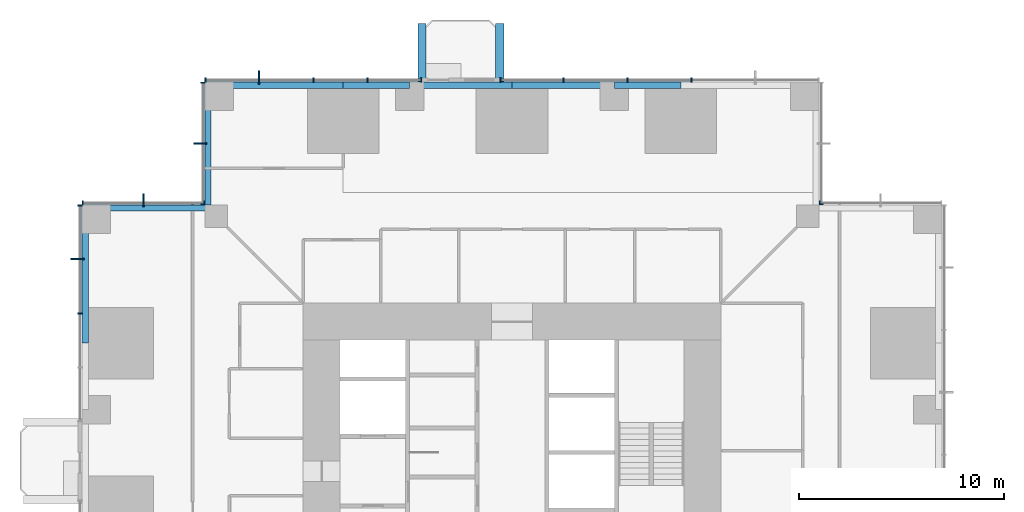
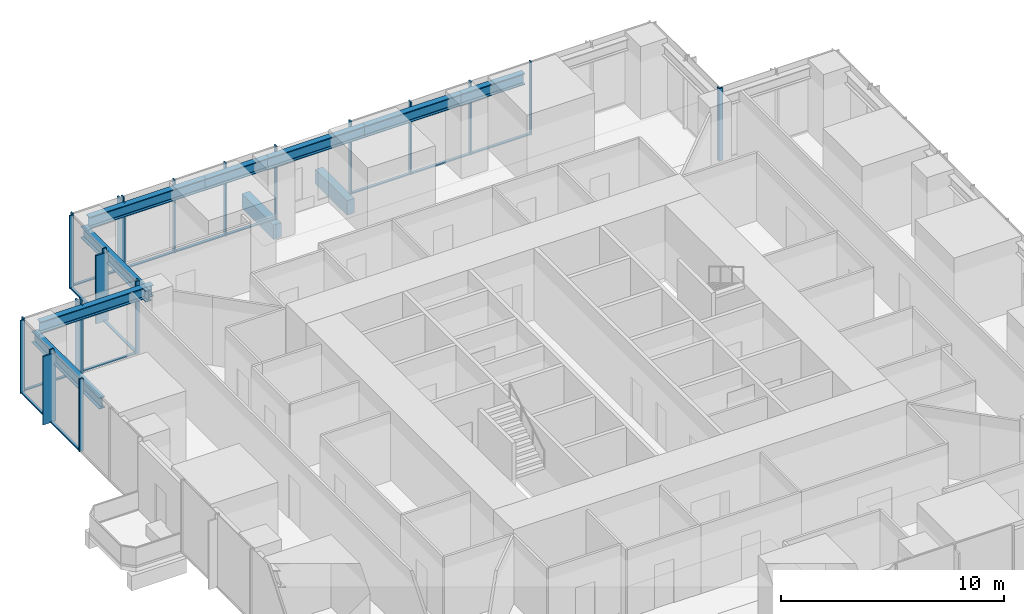
# One storey, part 5 of 15: 37 members, 10 beams, 7 elements without a shape of their own.
"""IFC4 building model written with IfcOpenShell, lengths in metres."""

from ifc_helpers import new_model, si_unit, direction, frame, origin, origin_2d, place, context, subcontext, project, spatial, rectangle, i_section, extrude, material, material_profile, profile_set, type_object, element, aggregate, save


model = new_model("IFC4")

# Units and contexts
model_context = context("Model", 3, precision=1e-05, world=origin(), true_north=direction((0.0, 1.0)))
body_context = subcontext(model_context, "Body", "Model", "MODEL_VIEW")
ifc_project = project(units=[si_unit("LENGTHUNIT", "METRE"), si_unit("AREAUNIT", "SQUARE_METRE"), si_unit("VOLUMEUNIT", "CUBIC_METRE"), si_unit("PLANEANGLEUNIT", "RADIAN"), si_unit("MASSUNIT", "GRAM", prefix="KILO")], contexts=[model_context])

# Site, building, storey
site_placement = place(None, origin())
site = spatial("IfcSite", under=ifc_project, at=site_placement, CompositionType="ELEMENT")
building_placement = place(site_placement, origin())
building = spatial("IfcBuilding", under=site, at=building_placement, Name="Svetlomir Tower", CompositionType="ELEMENT")
storey_placement = place(building_placement, frame((0.0, 0.0, 26.5)))
storey = spatial("IfcBuildingStorey", under=building, at=storey_placement, Name="L05", CompositionType="ELEMENT", Elevation=26.5)

# Beams
ifc_material_1 = material(Name="Concrete C60/75", Category="concrete")
ifc_material_profile_1 = material_profile(ifc_material_1, rectangle(XDim=0.39990234375, YDim=0.800048828125, at=origin_2d()), Name="RC 400x800")
ifc_profile_set_1 = profile_set([ifc_material_profile_1], Name="Concrete C60/75")
beam_type_1 = type_object("IfcBeamType", Name="BALCONY RIB RC 400x800", PredefinedType="BEAM", material=ifc_profile_set_1)
for number, where, z_axis, x_axis, name in (
    (1, (16.60009765625, 42.0, -0.64990234375), (0.0, 1.0, 0.0), (-1.0, 0.0, 0.0), "Balcony rib N 1 L05"),
    (2, (20.39990234375, 42.0, -0.64990234375), (0.0, 1.0, 0.0), (-1.0, 0.0, 0.0), "Balcony rib N 2 L05"),
):
    element("IfcBeam", number, at=place(storey_placement, frame(where, z_axis=z_axis, x_axis=x_axis)), inside=storey, type_object=beam_type_1, Name=name, PredefinedType="BEAM", context=body_context, shape_type="SweptSolid", body=[
        extrude(rectangle(XDim=0.39990234375, YDim=0.800048828125, at=origin_2d()), origin(), (0.0, 0.0, 1.0), 2.85009765625),
    ])

# Curtain wall, member
ifc_material_2 = material(Name="Bronze anodised aluminium curtain wall", Category="aluminium")
curtain_wall_type = type_object("IfcCurtainWallType", Name="CURTAIN WALL CW1 TOWER OFFICE", PredefinedType="NOTDEFINED", material=ifc_material_2)
curtain_wall_1_placement = place(storey_placement, origin())
curtain_wall_1 = element("IfcCurtainWall", 3, at=curtain_wall_1_placement, inside=storey, type_object=curtain_wall_type, Name="Curtain wall CW1 L05", PredefinedType="NOTDEFINED")
ifc_material_3 = material(Name="Bronze anodised aluminium", Category="aluminium")
ifc_material_profile_2 = material_profile(ifc_material_3, rectangle(XDim=0.080078125, YDim=0.64990234375, at=origin_2d()), Name="FIN 80x650")
ifc_profile_set_2 = profile_set([ifc_material_profile_2], Name="Bronze anodised aluminium 6063-T6")
member_type_1 = type_object("IfcMemberType", Name="BRONZE FIN 80x650", PredefinedType="USERDEFINED", material=ifc_profile_set_2)
member_1_placement = place(storey_placement, frame((8.64990234375, 42.22509765625, 0.0), z_axis=(0.0, 0.0, 1.0), x_axis=(1.0, 0.0, 0.0)))
member_1 = element("IfcMember", 4, at=member_1_placement, type_object=member_type_1, Name="Bronze fin L05", ObjectType="FIN", PredefinedType="USERDEFINED", context=body_context, shape_type="SweptSolid", body=[
    extrude(rectangle(XDim=0.080078125, YDim=0.64990234375, at=origin_2d()), origin(), (0.0, 0.0, 1.0), 3.75),
])

curtain_wall_2_placement = place(storey_placement, origin())
curtain_wall_2 = element("IfcCurtainWall", 5, at=curtain_wall_2_placement, inside=storey, type_object=curtain_wall_type, Name="Curtain wall CW1 L05", PredefinedType="NOTDEFINED")
member_2_placement = place(storey_placement, frame((5.77490234375, 39.0, 0.0), z_axis=(0.0, 0.0, 1.0), x_axis=(0.0, 1.0, 0.0)))
member_2 = element("IfcMember", 6, at=member_2_placement, type_object=member_type_1, Name="Bronze fin L05", ObjectType="FIN", PredefinedType="USERDEFINED", context=body_context, shape_type="SweptSolid", body=[
    extrude(rectangle(XDim=0.080078125, YDim=0.64990234375, at=origin_2d()), origin(), (0.0, 0.0, 1.0), 3.75),
])

curtain_wall_3_placement = place(storey_placement, origin())
curtain_wall_3 = element("IfcCurtainWall", 7, at=curtain_wall_3_placement, inside=storey, type_object=curtain_wall_type, Name="Curtain wall CW1 L05", PredefinedType="NOTDEFINED")
member_3_placement = place(storey_placement, frame((3.0, 36.22509765625, 0.0), z_axis=(0.0, 0.0, 1.0), x_axis=(1.0, 0.0, 0.0)))
member_3 = element("IfcMember", 8, at=member_3_placement, type_object=member_type_1, Name="Bronze fin L05", ObjectType="FIN", PredefinedType="USERDEFINED", context=body_context, shape_type="SweptSolid", body=[
    extrude(rectangle(XDim=0.080078125, YDim=0.64990234375, at=origin_2d()), origin(), (0.0, 0.0, 1.0), 3.75),
])

curtain_wall_4_placement = place(storey_placement, origin())
curtain_wall_4 = element("IfcCurtainWall", 9, at=curtain_wall_4_placement, inside=storey, type_object=curtain_wall_type, Name="Curtain wall CW1 L05", PredefinedType="NOTDEFINED")
member_4_placement = place(storey_placement, frame((-0.22509765625, 33.35009765625, 0.0), z_axis=(0.0, 0.0, 1.0), x_axis=(0.0, 1.0, 0.0)))
member_4 = element("IfcMember", 10, at=member_4_placement, type_object=member_type_1, Name="Bronze fin L05", ObjectType="FIN", PredefinedType="USERDEFINED", context=body_context, shape_type="SweptSolid", body=[
    extrude(rectangle(XDim=0.080078125, YDim=0.64990234375, at=origin_2d()), origin(), (0.0, 0.0, 1.0), 3.75),
])

curtain_wall_5_placement = place(storey_placement, origin())
curtain_wall_5 = element("IfcCurtainWall", 11, at=curtain_wall_5_placement, inside=storey, type_object=curtain_wall_type, Name="Curtain wall CW1 L05", PredefinedType="NOTDEFINED")
ifc_material_4 = material(Name="Bronze anodised aluminium", Category="aluminium")
ifc_material_profile_3 = material_profile(ifc_material_4, rectangle(XDim=0.06494140625, YDim=0.199951171875, at=origin_2d()), Name="AL 65x200")
ifc_profile_set_3 = profile_set([ifc_material_profile_3], Name="Bronze anodised aluminium 6063-T6")
member_type_2 = type_object("IfcMemberType", Name="CW1 MULLION 65x200", PredefinedType="MULLION", material=ifc_profile_set_3)
member_5_placement = place(storey_placement, frame((36.032470703125, 36.10009765625, 0.0), z_axis=(0.0, 0.0, 1.0), x_axis=(-1.0, 0.0, 0.0)))
member_5 = element("IfcMember", 12, at=member_5_placement, type_object=member_type_2, Name="CW1 mullion 3", PredefinedType="MULLION", context=body_context, shape_type="SweptSolid", body=[
    extrude(rectangle(XDim=0.06494140625, YDim=0.199951171875, at=origin_2d()), origin(), (0.0, 0.0, 1.0), 4.0),
])
aggregate(curtain_wall_5, [member_5])

curtain_wall_6_placement = place(storey_placement, origin())
curtain_wall_6 = element("IfcCurtainWall", 13, at=curtain_wall_6_placement, inside=storey, type_object=curtain_wall_type, Name="Curtain wall CW1 L05", PredefinedType="NOTDEFINED")
member_6_placement = place(storey_placement, frame((36.10009765625, 36.032470703125, 0.0), z_axis=(0.0, 0.0, 1.0), x_axis=(0.0, 1.0, 0.0)))
member_6 = element("IfcMember", 14, at=member_6_placement, type_object=member_type_2, Name="CW1 mullion 1", PredefinedType="MULLION", context=body_context, shape_type="SweptSolid", body=[
    extrude(rectangle(XDim=0.06494140625, YDim=0.199951171875, at=origin_2d()), origin(), (0.0, 0.0, 1.0), 4.0),
])
aggregate(curtain_wall_6, [member_6])

# Curtain wall, members
curtain_wall_7_placement = place(storey_placement, origin())
curtain_wall_7 = element("IfcCurtainWall", 15, at=curtain_wall_7_placement, inside=storey, type_object=curtain_wall_type, Name="Curtain wall CW1 L05", PredefinedType="NOTDEFINED")
member_7_placement = place(storey_placement, frame((29.760009765625, 42.10009765625, 0.0), z_axis=(0.0, 0.0, 1.0), x_axis=(-1.0, 0.0, 0.0)))
member_7 = element("IfcMember", 16, at=member_7_placement, type_object=member_type_2, Name="CW1 mullion 3", PredefinedType="MULLION", context=body_context, shape_type="SweptSolid", body=[
    extrude(rectangle(XDim=0.06494140625, YDim=0.199951171875, at=origin_2d()), origin(), (0.0, 0.0, 1.0), 4.0),
])
member_8_placement = place(storey_placement, frame((26.639892578125, 42.10009765625, 0.0), z_axis=(0.0, 0.0, 1.0), x_axis=(-1.0, 0.0, 0.0)))
member_8 = element("IfcMember", 17, at=member_8_placement, type_object=member_type_2, Name="CW1 mullion 4", PredefinedType="MULLION", context=body_context, shape_type="SweptSolid", body=[
    extrude(rectangle(XDim=0.06494140625, YDim=0.199951171875, at=origin_2d()), origin(), (0.0, 0.0, 1.0), 4.0),
])
member_9_placement = place(storey_placement, frame((23.52001953125, 42.10009765625, 0.0), z_axis=(0.0, 0.0, 1.0), x_axis=(-1.0, 0.0, 0.0)))
member_9 = element("IfcMember", 18, at=member_9_placement, type_object=member_type_2, Name="CW1 mullion 5", PredefinedType="MULLION", context=body_context, shape_type="SweptSolid", body=[
    extrude(rectangle(XDim=0.06494140625, YDim=0.199951171875, at=origin_2d()), origin(), (0.0, 0.0, 1.0), 4.0),
])
member_10_placement = place(storey_placement, frame((20.4326171875, 42.10009765625, 0.0), z_axis=(0.0, 0.0, 1.0), x_axis=(-1.0, 0.0, 0.0)))
member_10 = element("IfcMember", 19, at=member_10_placement, type_object=member_type_2, Name="CW1 mullion 6", PredefinedType="MULLION", context=body_context, shape_type="SweptSolid", body=[
    extrude(rectangle(XDim=0.06494140625, YDim=0.199951171875, at=origin_2d()), origin(), (0.0, 0.0, 1.0), 4.0),
])

# Member
member_11_placement = place(storey_placement, frame((16.5673828125, 42.10009765625, 0.0), z_axis=(0.0, 0.0, 1.0), x_axis=(-1.0, 0.0, 0.0)))
member_11 = element("IfcMember", 20, at=member_11_placement, type_object=member_type_2, Name="CW1 mullion 1", PredefinedType="MULLION", context=body_context, shape_type="SweptSolid", body=[
    extrude(rectangle(XDim=0.06494140625, YDim=0.199951171875, at=origin_2d()), origin(), (0.0, 0.0, 1.0), 4.0),
])

member_12_placement = place(storey_placement, frame((13.949951171875, 42.10009765625, 0.0), z_axis=(0.0, 0.0, 1.0), x_axis=(-1.0, 0.0, 0.0)))
member_12 = element("IfcMember", 21, at=member_12_placement, type_object=member_type_2, Name="CW1 mullion 2", PredefinedType="MULLION", context=body_context, shape_type="SweptSolid", body=[
    extrude(rectangle(XDim=0.06494140625, YDim=0.199951171875, at=origin_2d()), origin(), (0.0, 0.0, 1.0), 4.0),
])

member_13_placement = place(storey_placement, frame((11.300048828125, 42.10009765625, 0.0), z_axis=(0.0, 0.0, 1.0), x_axis=(-1.0, 0.0, 0.0)))
member_13 = element("IfcMember", 22, at=member_13_placement, type_object=member_type_2, Name="CW1 mullion 3", PredefinedType="MULLION", context=body_context, shape_type="SweptSolid", body=[
    extrude(rectangle(XDim=0.06494140625, YDim=0.199951171875, at=origin_2d()), origin(), (0.0, 0.0, 1.0), 4.0),
])

member_14_placement = place(storey_placement, frame((8.64990234375, 42.10009765625, 0.0), z_axis=(0.0, 0.0, 1.0), x_axis=(-1.0, 0.0, 0.0)))
member_14 = element("IfcMember", 23, at=member_14_placement, type_object=member_type_2, Name="CW1 mullion 4", PredefinedType="MULLION", context=body_context, shape_type="SweptSolid", body=[
    extrude(rectangle(XDim=0.06494140625, YDim=0.199951171875, at=origin_2d()), origin(), (0.0, 0.0, 1.0), 4.0),
])

member_15_placement = place(storey_placement, frame((6.032470703125, 42.10009765625, 0.0), z_axis=(0.0, 0.0, 1.0), x_axis=(-1.0, 0.0, 0.0)))
member_15 = element("IfcMember", 24, at=member_15_placement, type_object=member_type_2, Name="CW1 mullion 5", PredefinedType="MULLION", context=body_context, shape_type="SweptSolid", body=[
    extrude(rectangle(XDim=0.06494140625, YDim=0.199951171875, at=origin_2d()), origin(), (0.0, 0.0, 1.0), 4.0),
])

member_16_placement = place(storey_placement, frame((5.89990234375, 41.967529296875, 0.0), z_axis=(0.0, 0.0, 1.0), x_axis=(0.0, -1.0, 0.0)))
member_16 = element("IfcMember", 25, at=member_16_placement, type_object=member_type_2, Name="CW1 mullion 1", PredefinedType="MULLION", context=body_context, shape_type="SweptSolid", body=[
    extrude(rectangle(XDim=0.06494140625, YDim=0.199951171875, at=origin_2d()), origin(), (0.0, 0.0, 1.0), 4.0),
])

member_17_placement = place(storey_placement, frame((5.89990234375, 39.0, 0.0), z_axis=(0.0, 0.0, 1.0), x_axis=(0.0, -1.0, 0.0)))
member_17 = element("IfcMember", 26, at=member_17_placement, type_object=member_type_2, Name="CW1 mullion 2", PredefinedType="MULLION", context=body_context, shape_type="SweptSolid", body=[
    extrude(rectangle(XDim=0.06494140625, YDim=0.199951171875, at=origin_2d()), origin(), (0.0, 0.0, 1.0), 4.0),
])

member_18_placement = place(storey_placement, frame((5.89990234375, 36.032470703125, 0.0), z_axis=(0.0, 0.0, 1.0), x_axis=(0.0, -1.0, 0.0)))
member_18 = element("IfcMember", 27, at=member_18_placement, type_object=member_type_2, Name="CW1 mullion 3", PredefinedType="MULLION", context=body_context, shape_type="SweptSolid", body=[
    extrude(rectangle(XDim=0.06494140625, YDim=0.199951171875, at=origin_2d()), origin(), (0.0, 0.0, 1.0), 4.0),
])

member_19_placement = place(storey_placement, frame((5.967529296875, 36.10009765625, 0.0), z_axis=(0.0, 0.0, 1.0), x_axis=(-1.0, 0.0, 0.0)))
member_19 = element("IfcMember", 28, at=member_19_placement, type_object=member_type_2, Name="CW1 mullion 1", PredefinedType="MULLION", context=body_context, shape_type="SweptSolid", body=[
    extrude(rectangle(XDim=0.06494140625, YDim=0.199951171875, at=origin_2d()), origin(), (0.0, 0.0, 1.0), 4.0),
])

member_20_placement = place(storey_placement, frame((3.0, 36.10009765625, 0.0), z_axis=(0.0, 0.0, 1.0), x_axis=(-1.0, 0.0, 0.0)))
member_20 = element("IfcMember", 29, at=member_20_placement, type_object=member_type_2, Name="CW1 mullion 2", PredefinedType="MULLION", context=body_context, shape_type="SweptSolid", body=[
    extrude(rectangle(XDim=0.06494140625, YDim=0.199951171875, at=origin_2d()), origin(), (0.0, 0.0, 1.0), 4.0),
])

member_21_placement = place(storey_placement, frame((0.032470703125, 36.10009765625, 0.0), z_axis=(0.0, 0.0, 1.0), x_axis=(-1.0, 0.0, 0.0)))
member_21 = element("IfcMember", 30, at=member_21_placement, type_object=member_type_2, Name="CW1 mullion 3", PredefinedType="MULLION", context=body_context, shape_type="SweptSolid", body=[
    extrude(rectangle(XDim=0.06494140625, YDim=0.199951171875, at=origin_2d()), origin(), (0.0, 0.0, 1.0), 4.0),
])

member_22_placement = place(storey_placement, frame((-0.10009765625, 35.967529296875, 0.0), z_axis=(0.0, 0.0, 1.0), x_axis=(0.0, -1.0, 0.0)))
member_22 = element("IfcMember", 31, at=member_22_placement, type_object=member_type_2, Name="CW1 mullion 1", PredefinedType="MULLION", context=body_context, shape_type="SweptSolid", body=[
    extrude(rectangle(XDim=0.06494140625, YDim=0.199951171875, at=origin_2d()), origin(), (0.0, 0.0, 1.0), 4.0),
])

member_23_placement = place(storey_placement, frame((-0.10009765625, 33.35009765625, 0.0), z_axis=(0.0, 0.0, 1.0), x_axis=(0.0, -1.0, 0.0)))
member_23 = element("IfcMember", 32, at=member_23_placement, type_object=member_type_2, Name="CW1 mullion 2", PredefinedType="MULLION", context=body_context, shape_type="SweptSolid", body=[
    extrude(rectangle(XDim=0.06494140625, YDim=0.199951171875, at=origin_2d()), origin(), (0.0, 0.0, 1.0), 4.0),
])

member_24_placement = place(storey_placement, frame((-0.10009765625, 30.699951171875, 0.0), z_axis=(0.0, 0.0, 1.0), x_axis=(0.0, -1.0, 0.0)))
member_24 = element("IfcMember", 33, at=member_24_placement, type_object=member_type_2, Name="CW1 mullion 3", PredefinedType="MULLION", context=body_context, shape_type="SweptSolid", body=[
    extrude(rectangle(XDim=0.06494140625, YDim=0.199951171875, at=origin_2d()), origin(), (0.0, 0.0, 1.0), 4.0),
])

ifc_material_5 = material(Name="Bronze anodised aluminium", Category="aluminium")
ifc_material_profile_4 = material_profile(ifc_material_5, rectangle(XDim=0.139892578125, YDim=0.06494140625, at=origin_2d()), Name="AL 140x65")
ifc_profile_set_4 = profile_set([ifc_material_profile_4], Name="Bronze anodised aluminium 6063-T6")
member_type_3 = type_object("IfcMemberType", Name="CW1 TRANSOM 65x140", PredefinedType="USERDEFINED", material=ifc_profile_set_4)
member_25_placement = place(storey_placement, frame((29.7275390625, 42.10009765625, 0.032470703125), z_axis=(-1.0, 0.0, 0.0), x_axis=(0.0, -1.0, 0.0)))
member_25 = element("IfcMember", 34, at=member_25_placement, type_object=member_type_3, Name="CW1 transom 3.1", ObjectType="TRANSOM", PredefinedType="USERDEFINED", context=body_context, shape_type="SweptSolid", body=[
    extrude(rectangle(XDim=0.139892578125, YDim=0.06494140625, at=origin_2d()), origin(), (0.0, 0.0, 1.0), 3.054931640625),
])

member_26_placement = place(storey_placement, frame((26.607421875, 42.10009765625, 0.032470703125), z_axis=(-1.0, 0.0, 0.0), x_axis=(0.0, -1.0, 0.0)))
member_26 = element("IfcMember", 35, at=member_26_placement, type_object=member_type_3, Name="CW1 transom 4.1", ObjectType="TRANSOM", PredefinedType="USERDEFINED", context=body_context, shape_type="SweptSolid", body=[
    extrude(rectangle(XDim=0.139892578125, YDim=0.06494140625, at=origin_2d()), origin(), (0.0, 0.0, 1.0), 3.054931640625),
])

member_27_placement = place(storey_placement, frame((23.487548828125, 42.10009765625, 0.032470703125), z_axis=(-1.0, 0.0, 0.0), x_axis=(0.0, -1.0, 0.0)))
member_27 = element("IfcMember", 36, at=member_27_placement, type_object=member_type_3, Name="CW1 transom 5.1", ObjectType="TRANSOM", PredefinedType="USERDEFINED", context=body_context, shape_type="SweptSolid", body=[
    extrude(rectangle(XDim=0.139892578125, YDim=0.06494140625, at=origin_2d()), origin(), (0.0, 0.0, 1.0), 3.0224609375),
])

aggregate(curtain_wall_7, [member_7, member_8, member_9, member_10, member_25, member_26, member_27])

member_28_placement = place(storey_placement, frame((16.534912109375, 42.10009765625, 0.032470703125), z_axis=(-1.0, 0.0, 0.0), x_axis=(0.0, -1.0, 0.0)))
member_28 = element("IfcMember", 37, at=member_28_placement, type_object=member_type_3, Name="CW1 transom 1.1", ObjectType="TRANSOM", PredefinedType="USERDEFINED", context=body_context, shape_type="SweptSolid", body=[
    extrude(rectangle(XDim=0.139892578125, YDim=0.06494140625, at=origin_2d()), origin(), (0.0, 0.0, 1.0), 2.552490234375),
])

member_29_placement = place(storey_placement, frame((13.91748046875, 42.10009765625, 0.032470703125), z_axis=(-1.0, 0.0, 0.0), x_axis=(0.0, -1.0, 0.0)))
member_29 = element("IfcMember", 38, at=member_29_placement, type_object=member_type_3, Name="CW1 transom 2.1", ObjectType="TRANSOM", PredefinedType="USERDEFINED", context=body_context, shape_type="SweptSolid", body=[
    extrude(rectangle(XDim=0.139892578125, YDim=0.06494140625, at=origin_2d()), origin(), (0.0, 0.0, 1.0), 2.5849609375),
])

member_30_placement = place(storey_placement, frame((11.267578125, 42.10009765625, 0.032470703125), z_axis=(-1.0, 0.0, 0.0), x_axis=(0.0, -1.0, 0.0)))
member_30 = element("IfcMember", 39, at=member_30_placement, type_object=member_type_3, Name="CW1 transom 3.1", ObjectType="TRANSOM", PredefinedType="USERDEFINED", context=body_context, shape_type="SweptSolid", body=[
    extrude(rectangle(XDim=0.139892578125, YDim=0.06494140625, at=origin_2d()), origin(), (0.0, 0.0, 1.0), 2.5849609375),
])

member_31_placement = place(storey_placement, frame((8.617431640625, 42.10009765625, 0.032470703125), z_axis=(-1.0, 0.0, 0.0), x_axis=(0.0, -1.0, 0.0)))
member_31 = element("IfcMember", 40, at=member_31_placement, type_object=member_type_3, Name="CW1 transom 4.1", ObjectType="TRANSOM", PredefinedType="USERDEFINED", context=body_context, shape_type="SweptSolid", body=[
    extrude(rectangle(XDim=0.139892578125, YDim=0.06494140625, at=origin_2d()), origin(), (0.0, 0.0, 1.0), 2.552490234375),
])

aggregate(curtain_wall_1, [member_11, member_12, member_13, member_14, member_15, member_28, member_29, member_30, member_31, member_1])

member_32_placement = place(storey_placement, frame((5.89990234375, 41.93505859375, 0.032470703125), z_axis=(0.0, -1.0, 0.0), x_axis=(1.0, 0.0, 0.0)))
member_32 = element("IfcMember", 41, at=member_32_placement, type_object=member_type_3, Name="CW1 transom 1.1", ObjectType="TRANSOM", PredefinedType="USERDEFINED", context=body_context, shape_type="SweptSolid", body=[
    extrude(rectangle(XDim=0.139892578125, YDim=0.06494140625, at=origin_2d()), origin(), (0.0, 0.0, 1.0), 2.902587890625),
])

member_33_placement = place(storey_placement, frame((5.89990234375, 38.967529296875, 0.032470703125), z_axis=(0.0, -1.0, 0.0), x_axis=(1.0, 0.0, 0.0)))
member_33 = element("IfcMember", 42, at=member_33_placement, type_object=member_type_3, Name="CW1 transom 2.1", ObjectType="TRANSOM", PredefinedType="USERDEFINED", context=body_context, shape_type="SweptSolid", body=[
    extrude(rectangle(XDim=0.139892578125, YDim=0.06494140625, at=origin_2d()), origin(), (0.0, 0.0, 1.0), 2.902587890625),
])

aggregate(curtain_wall_2, [member_16, member_17, member_18, member_32, member_33, member_2])

member_34_placement = place(storey_placement, frame((5.93505859375, 36.10009765625, 0.032470703125), z_axis=(-1.0, 0.0, 0.0), x_axis=(0.0, -1.0, 0.0)))
member_34 = element("IfcMember", 43, at=member_34_placement, type_object=member_type_3, Name="CW1 transom 1.1", ObjectType="TRANSOM", PredefinedType="USERDEFINED", context=body_context, shape_type="SweptSolid", body=[
    extrude(rectangle(XDim=0.139892578125, YDim=0.06494140625, at=origin_2d()), origin(), (0.0, 0.0, 1.0), 2.902587890625),
])

member_35_placement = place(storey_placement, frame((2.967529296875, 36.10009765625, 0.032470703125), z_axis=(-1.0, 0.0, 0.0), x_axis=(0.0, -1.0, 0.0)))
member_35 = element("IfcMember", 44, at=member_35_placement, type_object=member_type_3, Name="CW1 transom 2.1", ObjectType="TRANSOM", PredefinedType="USERDEFINED", context=body_context, shape_type="SweptSolid", body=[
    extrude(rectangle(XDim=0.139892578125, YDim=0.06494140625, at=origin_2d()), origin(), (0.0, 0.0, 1.0), 2.902587890625),
])

aggregate(curtain_wall_3, [member_19, member_20, member_21, member_34, member_35, member_3])

member_36_placement = place(storey_placement, frame((-0.10009765625, 35.93505859375, 0.032470703125), z_axis=(0.0, -1.0, 0.0), x_axis=(1.0, 0.0, 0.0)))
member_36 = element("IfcMember", 45, at=member_36_placement, type_object=member_type_3, Name="CW1 transom 1.1", ObjectType="TRANSOM", PredefinedType="USERDEFINED", context=body_context, shape_type="SweptSolid", body=[
    extrude(rectangle(XDim=0.139892578125, YDim=0.06494140625, at=origin_2d()), origin(), (0.0, 0.0, 1.0), 2.552490234375),
])

member_37_placement = place(storey_placement, frame((-0.10009765625, 33.3173828125, 0.032470703125), z_axis=(0.0, -1.0, 0.0), x_axis=(1.0, 0.0, 0.0)))
member_37 = element("IfcMember", 46, at=member_37_placement, type_object=member_type_3, Name="CW1 transom 2.1", ObjectType="TRANSOM", PredefinedType="USERDEFINED", context=body_context, shape_type="SweptSolid", body=[
    extrude(rectangle(XDim=0.139892578125, YDim=0.06494140625, at=origin_2d()), origin(), (0.0, 0.0, 1.0), 2.5849609375),
])

aggregate(curtain_wall_4, [member_22, member_23, member_24, member_36, member_37, member_4])

# Beams
ifc_material_6 = material(Name="Steel S355", Category="steel")
ifc_material_profile_5 = material_profile(ifc_material_6, i_section(OverallWidth=0.304931640625, OverallDepth=0.6201171875, WebThickness=0.02099609375, FlangeThickness=0.0400390625, FilletRadius=0.027099609375, at=origin_2d()), Name="HEM 600")
ifc_profile_set_5 = profile_set([ifc_material_profile_5], Name="Steel S355")
beam_type_2 = type_object("IfcBeamType", Name="EDGE BEAM HEM 600", PredefinedType="SPANDREL", material=ifc_profile_set_5)
beam_1_placement = place(storey_placement, frame((6.699951171875, 41.847412109375, 3.43994140625), z_axis=(1.0, 0.0, 0.0), x_axis=(0.0, 1.0, 0.0)))
element("IfcBeam", 47, at=beam_1_placement, inside=storey, type_object=beam_type_2, Name="Edge beam 6/42 to 11/42 under L06", PredefinedType="SPANDREL", context=body_context, shape_type="SweptSolid", body=[
    extrude(i_section(OverallWidth=0.304931640625, OverallDepth=0.6201171875, WebThickness=0.02099609375, FlangeThickness=0.0400390625, FilletRadius=0.027099609375, at=origin_2d()), origin(), (0.0, 0.0, 1.0), 6.050048828125),
])
beam_2_placement = place(storey_placement, frame((12.75, 41.847412109375, 3.43994140625), z_axis=(1.0, 0.0, 0.0), x_axis=(0.0, 1.0, 0.0)))
element("IfcBeam", 48, at=beam_2_placement, inside=storey, type_object=beam_type_2, Name="Edge beam 11/42 to 16/42 under L06", PredefinedType="SPANDREL", context=body_context, shape_type="SweptSolid", body=[
    extrude(i_section(OverallWidth=0.304931640625, OverallDepth=0.6201171875, WebThickness=0.02099609375, FlangeThickness=0.0400390625, FilletRadius=0.027099609375, at=origin_2d()), origin(), (0.0, 0.0, 1.0), 3.25),
])
for number, where, z_axis, x_axis, name in (
    (49, (16.0, 41.847412109375, 3.43994140625), (1.0, 0.0, 0.0), (0.0, 1.0, 0.0), "Edge beam 16/42 to 21/42 under L06"),
    (50, (21.0, 41.847412109375, 3.43994140625), (1.0, 0.0, 0.0), (0.0, 1.0, 0.0), "Edge beam 21/42 to 26/42 under L06"),
):
    element("IfcBeam", number, at=place(storey_placement, frame(where, z_axis=z_axis, x_axis=x_axis)), inside=storey, type_object=beam_type_2, Name=name, PredefinedType="SPANDREL", context=body_context, shape_type="SweptSolid", body=[
        extrude(i_section(OverallWidth=0.304931640625, OverallDepth=0.6201171875, WebThickness=0.02099609375, FlangeThickness=0.0400390625, FilletRadius=0.027099609375, at=origin_2d()), origin(), (0.0, 0.0, 1.0), 5.0),
    ])
beam_3_placement = place(storey_placement, frame((26.0, 41.847412109375, 3.43994140625), z_axis=(1.0, 0.0, 0.0), x_axis=(0.0, 1.0, 0.0)))
element("IfcBeam", 51, at=beam_3_placement, inside=storey, type_object=beam_type_2, Name="Edge beam 26/42 to 31/42 under L06", PredefinedType="SPANDREL", context=body_context, shape_type="SweptSolid", body=[
    extrude(i_section(OverallWidth=0.304931640625, OverallDepth=0.6201171875, WebThickness=0.02099609375, FlangeThickness=0.0400390625, FilletRadius=0.027099609375, at=origin_2d()), origin(), (0.0, 0.0, 1.0), 3.25),
])
beam_4_placement = place(storey_placement, frame((0.152587890625, 29.25, 3.43994140625), z_axis=(0.0, 1.0, 0.0), x_axis=(-1.0, 0.0, 0.0)))
element("IfcBeam", 52, at=beam_4_placement, inside=storey, type_object=beam_type_2, Name="Edge beam 0/31 to 0/36 under L06", PredefinedType="SPANDREL", context=body_context, shape_type="SweptSolid", body=[
    extrude(i_section(OverallWidth=0.304931640625, OverallDepth=0.6201171875, WebThickness=0.02099609375, FlangeThickness=0.0400390625, FilletRadius=0.027099609375, at=origin_2d()), origin(), (0.0, 0.0, 1.0), 6.050048828125),
])
for number, where, z_axis, x_axis, name in (
    (53, (6.152587890625, 41.300048828125, 3.43994140625), (0.0, -1.0, 0.0), (1.0, 0.0, 0.0), "Edge beam 6/42 to 6/36 under L06"),
    (54, (0.699951171875, 35.847412109375, 3.43994140625), (1.0, 0.0, 0.0), (0.0, 1.0, 0.0), "Edge beam 0/36 to 6/36 under L06"),
):
    element("IfcBeam", number, at=place(storey_placement, frame(where, z_axis=z_axis, x_axis=x_axis)), inside=storey, type_object=beam_type_2, Name=name, PredefinedType="SPANDREL", context=body_context, shape_type="SweptSolid", body=[
        extrude(i_section(OverallWidth=0.304931640625, OverallDepth=0.6201171875, WebThickness=0.02099609375, FlangeThickness=0.0400390625, FilletRadius=0.027099609375, at=origin_2d()), origin(), (0.0, 0.0, 1.0), 5.85009765625),
    ])

save(model, "model.ifc")
